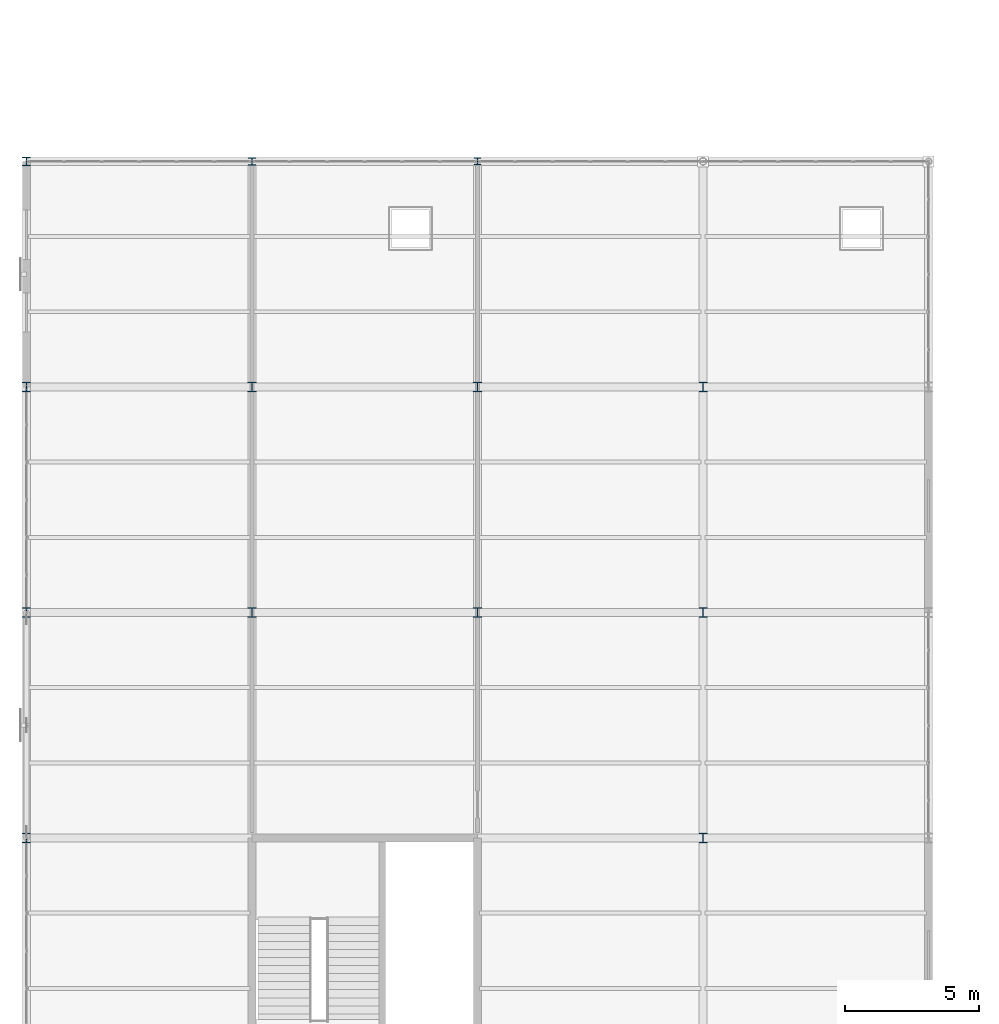
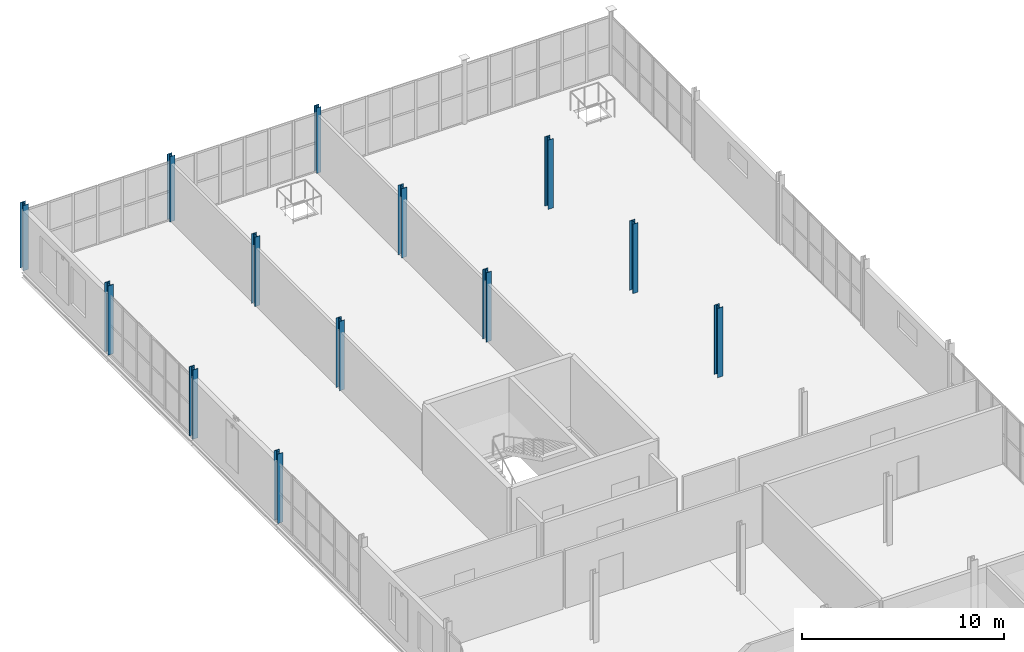
# One storey, part 9 of 163: 13 columns.
"""IFC4 building model written with IfcOpenShell, lengths in metres."""

from ifc_helpers import new_model, si_unit, direction, frame, origin, origin_2d, place, context, subcontext, project, spatial, i_section, extrude, material, material_profile, profile_set, type_object, element, save


model = new_model("IFC4")

# Units and contexts
model_context = context("Model", 3, precision=1e-05, world=origin(), true_north=direction((0.0, 1.0)))
body_context = subcontext(model_context, "Body", "Model", "MODEL_VIEW")
ifc_project = project(units=[si_unit("LENGTHUNIT", "METRE"), si_unit("AREAUNIT", "SQUARE_METRE"), si_unit("VOLUMEUNIT", "CUBIC_METRE"), si_unit("PLANEANGLEUNIT", "RADIAN"), si_unit("MASSUNIT", "GRAM", prefix="KILO")], contexts=[model_context])

# Site, building, storey
site_placement = place(None, origin())
site = spatial("IfcSite", under=ifc_project, at=site_placement, CompositionType="ELEMENT")
building_placement = place(site_placement, origin())
building = spatial("IfcBuilding", under=site, at=building_placement, Name="Qalvenar Corner Mobility Hub", CompositionType="ELEMENT")
storey_placement = place(building_placement, frame((0.0, 0.0, 4.800048828125)))
storey = spatial("IfcBuildingStorey", under=building, at=storey_placement, Name="L01", CompositionType="ELEMENT", Elevation=4.800048828125)

# Columns
ifc_material = material(Name="Steel S355", Category="steel")
ifc_material_profile_1 = material_profile(ifc_material, i_section(OverallWidth=0.300048828125, OverallDepth=0.35009765625, WebThickness=0.010009765625, FlangeThickness=0.017578125, FilletRadius=0.027099609375, at=origin_2d()), Name="HEA360")
ifc_profile_set_1 = profile_set([ifc_material_profile_1], Name="Steel S355")
column_type_1 = type_object("IfcColumnType", Name="COL-HEA360", PredefinedType="COLUMN", material=ifc_profile_set_1)
for number, where, z_axis, x_axis, name in (
    (1, (8.39990234375, 75.60009765625, 0.0), (0.0, 0.0, 1.0), (1.0, 0.0, 0.0), "Steel Column L01-G2-9"),
    (2, (8.39990234375, 84.0, 0.0), (0.0, 0.0, 1.0), (1.0, 0.0, 0.0), "Steel Column L01-G2-10"),
    (3, (25.199951171875, 67.199951171875, 0.0), (0.0, 0.0, 1.0), (1.0, 0.0, 0.0), "Steel Column L01-G4-8"),
    (4, (25.199951171875, 75.60009765625, 0.0), (0.0, 0.0, 1.0), (1.0, 0.0, 0.0), "Steel Column L01-G4-9"),
    (5, (25.199951171875, 84.0, 0.0), (0.0, 0.0, 1.0), (1.0, 0.0, 0.0), "Steel Column L01-G4-10"),
):
    element("IfcColumn", number, at=place(storey_placement, frame(where, z_axis=z_axis, x_axis=x_axis)), inside=storey, type_object=column_type_1, Name=name, PredefinedType="COLUMN", context=body_context, shape_type="SweptSolid", body=[
        extrude(i_section(OverallWidth=0.300048828125, OverallDepth=0.35009765625, WebThickness=0.010009765625, FlangeThickness=0.017578125, FilletRadius=0.027099609375, at=origin_2d()), origin(), (0.0, 0.0, 1.0), 4.199951171875),
    ])
ifc_material_profile_2 = material_profile(ifc_material, i_section(OverallWidth=0.260009765625, OverallDepth=0.260009765625, WebThickness=0.010009765625, FlangeThickness=0.017578125, FilletRadius=0.02392578125, at=origin_2d()), Name="HEB260")
ifc_profile_set_2 = profile_set([ifc_material_profile_2], Name="Steel S355")
column_type_2 = type_object("IfcColumnType", Name="COL-HEB260", PredefinedType="COLUMN", material=ifc_profile_set_2)
column_1_placement = place(storey_placement, frame((16.800048828125, 92.39990234375, 0.0), z_axis=(0.0, 0.0, 1.0), x_axis=(1.0, 0.0, 0.0)))
element("IfcColumn", 6, at=column_1_placement, inside=storey, type_object=column_type_2, Name="Steel Column L01-G3-11", PredefinedType="COLUMN", context=body_context, shape_type="SweptSolid", body=[
    extrude(i_section(OverallWidth=0.260009765625, OverallDepth=0.260009765625, WebThickness=0.010009765625, FlangeThickness=0.017578125, FilletRadius=0.02392578125, at=origin_2d()), origin(), (0.0, 0.0, 1.0), 3.9580078125),
])
ifc_material_profile_3 = material_profile(ifc_material, i_section(OverallWidth=0.280029296875, OverallDepth=0.280029296875, WebThickness=0.010498046875, FlangeThickness=0.01806640625, FilletRadius=0.02392578125, at=origin_2d()), Name="HEB280")
ifc_profile_set_3 = profile_set([ifc_material_profile_3], Name="Steel S355")
column_type_3 = type_object("IfcColumnType", Name="COL-HEB280", PredefinedType="COLUMN", material=ifc_profile_set_3)
column_2_placement = place(storey_placement, frame((8.39990234375, 92.39990234375, 0.0), z_axis=(0.0, 0.0, 1.0), x_axis=(1.0, 0.0, 0.0)))
element("IfcColumn", 7, at=column_2_placement, inside=storey, type_object=column_type_3, Name="Steel Column L01-G2-11", PredefinedType="COLUMN", context=body_context, shape_type="SweptSolid", body=[
    extrude(i_section(OverallWidth=0.280029296875, OverallDepth=0.280029296875, WebThickness=0.010498046875, FlangeThickness=0.01806640625, FilletRadius=0.02392578125, at=origin_2d()), origin(), (0.0, 0.0, 1.0), 3.9580078125),
])
ifc_material_profile_4 = material_profile(ifc_material, i_section(OverallWidth=0.300048828125, OverallDepth=0.320068359375, WebThickness=0.011474609375, FlangeThickness=0.0205078125, FilletRadius=0.027099609375, at=origin_2d()), Name="HEB320")
ifc_profile_set_4 = profile_set([ifc_material_profile_4], Name="Steel S355")
column_type_4 = type_object("IfcColumnType", Name="COL-HEB320", PredefinedType="COLUMN", material=ifc_profile_set_4)
column_3_placement = place(storey_placement, frame((0.0, 92.39990234375, 0.0), z_axis=(0.0, 0.0, 1.0), x_axis=(1.0, 0.0, 0.0)))
element("IfcColumn", 8, at=column_3_placement, inside=storey, type_object=column_type_4, Name="Steel Column L01-G1-11", PredefinedType="COLUMN", context=body_context, shape_type="SweptSolid", body=[
    extrude(i_section(OverallWidth=0.300048828125, OverallDepth=0.320068359375, WebThickness=0.011474609375, FlangeThickness=0.0205078125, FilletRadius=0.027099609375, at=origin_2d()), origin(), (0.0, 0.0, 1.0), 3.9580078125),
])
ifc_material_profile_5 = material_profile(ifc_material, i_section(OverallWidth=0.300048828125, OverallDepth=0.360107421875, WebThickness=0.012451171875, FlangeThickness=0.0224609375, FilletRadius=0.027099609375, at=origin_2d()), Name="HEB360")
ifc_profile_set_5 = profile_set([ifc_material_profile_5], Name="Steel S355")
column_type_5 = type_object("IfcColumnType", Name="COL-HEB360", PredefinedType="COLUMN", material=ifc_profile_set_5)
for number, where, z_axis, x_axis, name in (
    (9, (0.0, 67.199951171875, 0.0), (0.0, 0.0, 1.0), (1.0, 0.0, 0.0), "Steel Column L01-G1-8"),
    (10, (0.0, 75.60009765625, 0.0), (0.0, 0.0, 1.0), (1.0, 0.0, 0.0), "Steel Column L01-G1-9"),
    (11, (0.0, 84.0, 0.0), (0.0, 0.0, 1.0), (1.0, 0.0, 0.0), "Steel Column L01-G1-10"),
    (12, (16.800048828125, 75.60009765625, 0.0), (0.0, 0.0, 1.0), (1.0, 0.0, 0.0), "Steel Column L01-G3-9"),
    (13, (16.800048828125, 84.0, 0.0), (0.0, 0.0, 1.0), (1.0, 0.0, 0.0), "Steel Column L01-G3-10"),
):
    element("IfcColumn", number, at=place(storey_placement, frame(where, z_axis=z_axis, x_axis=x_axis)), inside=storey, type_object=column_type_5, Name=name, PredefinedType="COLUMN", context=body_context, shape_type="SweptSolid", body=[
        extrude(i_section(OverallWidth=0.300048828125, OverallDepth=0.360107421875, WebThickness=0.012451171875, FlangeThickness=0.0224609375, FilletRadius=0.027099609375, at=origin_2d()), origin(), (0.0, 0.0, 1.0), 4.199951171875),
    ])

save(model, "model.ifc")
